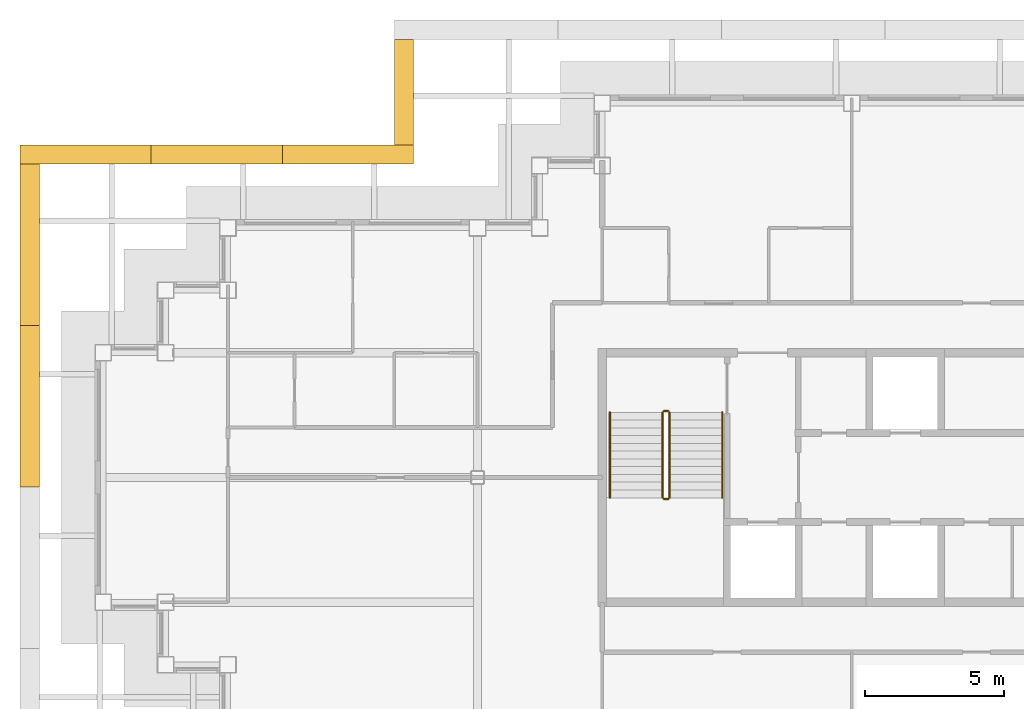
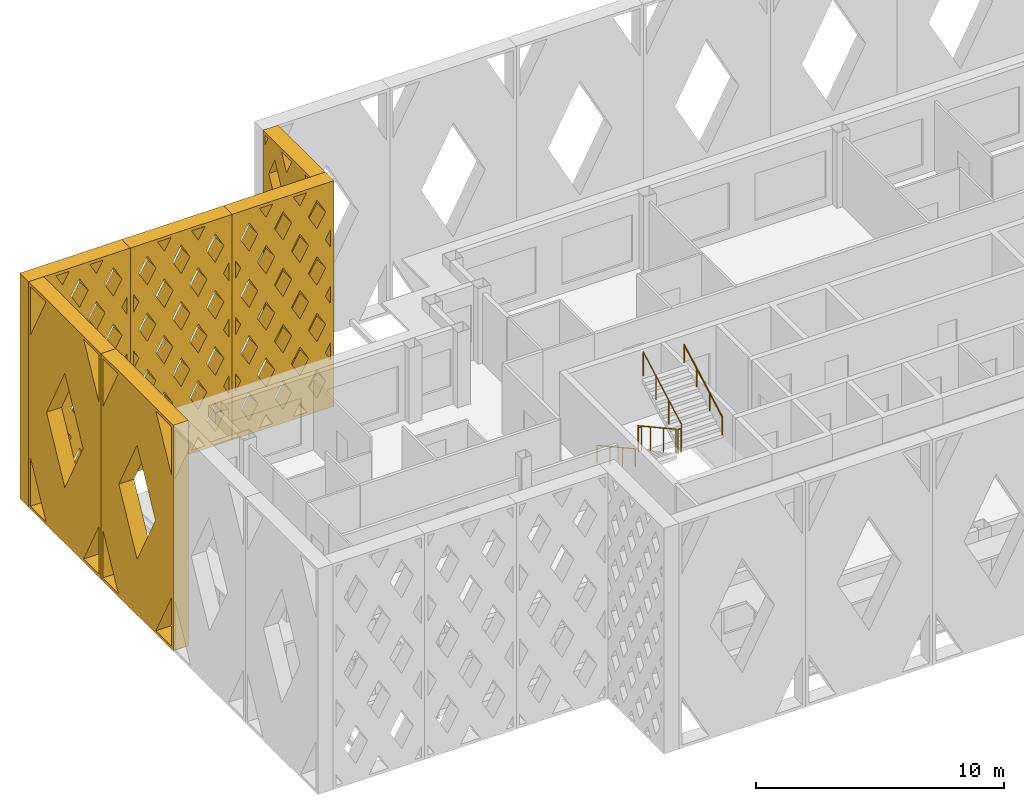
# One storey, part 10 of 13: 6 railings, 6 shading devices.
"""IFC4 building model written with IfcOpenShell, lengths in metres."""

from ifc_helpers import new_model, si_unit, direction, frame, origin, origin_2d, place, context, subcontext, project, spatial, polyline, circle, outline, extrude, material, type_object, element, save


model = new_model("IFC4")

# Units and contexts
model_context = context("Model", 3, precision=1e-05, world=origin(), true_north=direction((0.0, 1.0)))
body_context = subcontext(model_context, "Body", "Model", "MODEL_VIEW")
ifc_project = project(units=[si_unit("LENGTHUNIT", "METRE"), si_unit("AREAUNIT", "SQUARE_METRE"), si_unit("VOLUMEUNIT", "CUBIC_METRE"), si_unit("PLANEANGLEUNIT", "RADIAN"), si_unit("MASSUNIT", "GRAM", prefix="KILO")], contexts=[model_context])

# Site, building, storey
site_placement = place(None, origin())
site = spatial("IfcSite", under=ifc_project, at=site_placement, CompositionType="ELEMENT")
building_placement = place(site_placement, origin())
building = spatial("IfcBuilding", under=site, at=building_placement, Name="Caravel Reach Hotel and Residences", CompositionType="ELEMENT")
storey_placement = place(building_placement, frame((0.0, 0.0, 267.5)))
storey = spatial("IfcBuildingStorey", under=building, at=storey_placement, Name="L68", CompositionType="ELEMENT", Elevation=267.5)

# Shading devices
ifc_material_1 = material(Name="Black powder-coated aluminium", Category="aluminium")
shading_device_type_1 = type_object("IfcShadingDeviceType", Name="Diamond lattice screen panel 3800 x 11100", PredefinedType="USERDEFINED", material=ifc_material_1)
shading_device_1_placement = place(storey_placement, frame((11.199951171875, 42.800048828125, 0.0), z_axis=(-1.0, 0.0, 0.0), x_axis=(0.0, -1.0, 0.0)))
element("IfcShadingDevice", 1, at=shading_device_1_placement, inside=storey, type_object=shading_device_type_1, Name="Lattice screen L68-L70 6.1", ObjectType="SCREEN", PredefinedType="USERDEFINED", context=body_context, shape_type="SweptSolid", body=[
    extrude(outline(polyline([(0.0, 0.0), (3.800048828125, 0.0), (3.800048828125, 11.10009765625), (0.0, 11.10009765625), (0.0, 0.0)]), holes=[polyline([(0.412109375, 0.14990234375), (0.14990234375, 0.660400390625), (0.14990234375, 0.14990234375), (0.412109375, 0.14990234375)]), polyline([(0.4892578125, 3.699951171875), (0.14990234375, 4.3603515625), (0.14990234375, 3.03955078125), (0.4892578125, 3.699951171875)]), polyline([(0.4892578125, 7.39990234375), (0.14990234375, 8.060302734375), (0.14990234375, 6.739501953125), (0.4892578125, 7.39990234375)]), polyline([(0.14990234375, 10.439697265625), (0.412109375, 10.949951171875), (0.14990234375, 10.949951171875), (0.14990234375, 10.439697265625)]), polyline([(0.949951171875, 2.802490234375), (0.4609375, 1.85009765625), (0.949951171875, 0.8974609375), (1.439208984375, 1.85009765625), (0.949951171875, 2.802490234375)]), polyline([(0.949951171875, 6.50244140625), (0.4609375, 5.550048828125), (0.949951171875, 4.597412109375), (1.439208984375, 5.550048828125), (0.949951171875, 6.50244140625)]), polyline([(0.949951171875, 10.20263671875), (0.4609375, 9.25), (0.949951171875, 8.29736328125), (1.439208984375, 9.25), (0.949951171875, 10.20263671875)]), polyline([(1.89990234375, 0.95263671875), (1.48779296875, 0.14990234375), (2.31201171875, 0.14990234375), (1.89990234375, 0.95263671875)]), polyline([(1.89990234375, 4.652587890625), (1.410888671875, 3.699951171875), (1.89990234375, 2.74755859375), (2.38916015625, 3.699951171875), (1.89990234375, 4.652587890625)]), polyline([(1.89990234375, 8.3525390625), (1.410888671875, 7.39990234375), (1.89990234375, 6.447509765625), (2.38916015625, 7.39990234375), (1.89990234375, 8.3525390625)]), polyline([(1.89990234375, 10.1474609375), (2.31201171875, 10.949951171875), (1.48779296875, 10.949951171875), (1.89990234375, 10.1474609375)]), polyline([(2.85009765625, 2.802490234375), (2.36083984375, 1.85009765625), (2.85009765625, 0.8974609375), (3.339111328125, 1.85009765625), (2.85009765625, 2.802490234375)]), polyline([(2.85009765625, 6.50244140625), (2.36083984375, 5.550048828125), (2.85009765625, 4.597412109375), (3.339111328125, 5.550048828125), (2.85009765625, 6.50244140625)]), polyline([(2.85009765625, 10.20263671875), (2.36083984375, 9.25), (2.85009765625, 8.29736328125), (3.339111328125, 9.25), (2.85009765625, 10.20263671875)]), polyline([(3.64990234375, 0.660400390625), (3.387939453125, 0.14990234375), (3.64990234375, 0.14990234375), (3.64990234375, 0.660400390625)]), polyline([(3.310791015625, 3.699951171875), (3.64990234375, 3.03955078125), (3.64990234375, 4.3603515625), (3.310791015625, 3.699951171875)]), polyline([(3.310791015625, 7.39990234375), (3.64990234375, 6.739501953125), (3.64990234375, 8.060302734375), (3.310791015625, 7.39990234375)]), polyline([(3.387939453125, 10.949951171875), (3.64990234375, 10.439697265625), (3.64990234375, 10.949951171875), (3.387939453125, 10.949951171875)])]), origin(), (0.0, 0.0, 1.0), 0.699951171875),
])
ifc_material_2 = material(Name="Black powder-coated aluminium", Category="aluminium")
shading_device_type_2 = type_object("IfcShadingDeviceType", Name="Diamond lattice screen panel 4733 x 11100", PredefinedType="USERDEFINED", material=ifc_material_2)
shading_device_2_placement = place(storey_placement, frame((11.199951171875, 38.300048828125, 0.0), z_axis=(0.0, 1.0, 0.0), x_axis=(-1.0, 0.0, 0.0)))
element("IfcShadingDevice", 2, at=shading_device_2_placement, inside=storey, type_object=shading_device_type_2, Name="Lattice screen L68-L70 7.1", ObjectType="SCREEN", PredefinedType="USERDEFINED", context=body_context, shape_type="SweptSolid", body=[
    extrude(outline(polyline([(0.0, 0.0), (4.7333984375, 0.0), (4.7333984375, 11.10009765625), (0.0, 11.10009765625), (0.0, 0.0)]), holes=[polyline([(0.401123046875, 2.77490234375), (0.14990234375, 3.216796875), (0.14990234375, 2.333251953125), (0.401123046875, 2.77490234375)]), polyline([(0.401123046875, 5.550048828125), (0.14990234375, 5.99169921875), (0.14990234375, 5.108154296875), (0.401123046875, 5.550048828125)]), polyline([(0.401123046875, 8.324951171875), (0.14990234375, 8.766845703125), (0.14990234375, 7.88330078125), (0.401123046875, 8.324951171875)]), polyline([(0.788818359375, 2.093017578125), (0.3876953125, 1.387451171875), (0.788818359375, 0.681884765625), (1.190185546875, 1.387451171875), (0.788818359375, 2.093017578125)]), polyline([(0.788818359375, 4.8681640625), (0.3876953125, 4.16259765625), (0.788818359375, 3.456787109375), (1.190185546875, 4.16259765625), (0.788818359375, 4.8681640625)]), polyline([(0.788818359375, 7.64306640625), (0.3876953125, 6.9375), (0.788818359375, 6.23193359375), (1.190185546875, 6.9375), (0.788818359375, 7.64306640625)]), polyline([(0.788818359375, 10.418212890625), (0.3876953125, 9.71240234375), (0.788818359375, 9.0068359375), (1.190185546875, 9.71240234375), (0.788818359375, 10.418212890625)]), polyline([(1.577880859375, 0.70556640625), (1.261962890625, 0.14990234375), (1.893798828125, 0.14990234375), (1.577880859375, 0.70556640625)]), polyline([(1.577880859375, 3.480712890625), (1.176513671875, 2.77490234375), (1.577880859375, 2.0693359375), (1.97900390625, 2.77490234375), (1.577880859375, 3.480712890625)]), polyline([(1.577880859375, 6.255615234375), (1.176513671875, 5.550048828125), (1.577880859375, 4.844482421875), (1.97900390625, 5.550048828125), (1.577880859375, 6.255615234375)]), polyline([(1.577880859375, 9.030517578125), (1.176513671875, 8.324951171875), (1.577880859375, 7.619384765625), (1.97900390625, 8.324951171875), (1.577880859375, 9.030517578125)]), polyline([(1.577880859375, 10.394287109375), (1.893798828125, 10.949951171875), (1.261962890625, 10.949951171875), (1.577880859375, 10.394287109375)]), polyline([(2.36669921875, 2.093017578125), (1.965576171875, 1.387451171875), (2.36669921875, 0.681884765625), (2.767822265625, 1.387451171875), (2.36669921875, 2.093017578125)]), polyline([(2.36669921875, 4.8681640625), (1.965576171875, 4.16259765625), (2.36669921875, 3.456787109375), (2.767822265625, 4.16259765625), (2.36669921875, 4.8681640625)]), polyline([(2.36669921875, 7.64306640625), (1.965576171875, 6.9375), (2.36669921875, 6.23193359375), (2.767822265625, 6.9375), (2.36669921875, 7.64306640625)]), polyline([(2.36669921875, 10.418212890625), (1.965576171875, 9.71240234375), (2.36669921875, 9.0068359375), (2.767822265625, 9.71240234375), (2.36669921875, 10.418212890625)]), polyline([(3.155517578125, 0.70556640625), (2.839599609375, 0.14990234375), (3.471435546875, 0.14990234375), (3.155517578125, 0.70556640625)]), polyline([(3.155517578125, 3.480712890625), (2.75439453125, 2.77490234375), (3.155517578125, 2.0693359375), (3.556640625, 2.77490234375), (3.155517578125, 3.480712890625)]), polyline([(3.155517578125, 6.255615234375), (2.75439453125, 5.550048828125), (3.155517578125, 4.844482421875), (3.556640625, 5.550048828125), (3.155517578125, 6.255615234375)]), polyline([(3.155517578125, 9.030517578125), (2.75439453125, 8.324951171875), (3.155517578125, 7.619384765625), (3.556640625, 8.324951171875), (3.155517578125, 9.030517578125)]), polyline([(3.155517578125, 10.394287109375), (3.471435546875, 10.949951171875), (2.839599609375, 10.949951171875), (3.155517578125, 10.394287109375)]), polyline([(3.9443359375, 2.093017578125), (3.543212890625, 1.387451171875), (3.9443359375, 0.681884765625), (4.345703125, 1.387451171875), (3.9443359375, 2.093017578125)]), polyline([(3.9443359375, 4.8681640625), (3.543212890625, 4.16259765625), (3.9443359375, 3.456787109375), (4.345703125, 4.16259765625), (3.9443359375, 4.8681640625)]), polyline([(3.9443359375, 7.64306640625), (3.543212890625, 6.9375), (3.9443359375, 6.23193359375), (4.345703125, 6.9375), (3.9443359375, 7.64306640625)]), polyline([(3.9443359375, 10.418212890625), (3.543212890625, 9.71240234375), (3.9443359375, 9.0068359375), (4.345703125, 9.71240234375), (3.9443359375, 10.418212890625)]), polyline([(4.33203125, 2.77490234375), (4.583251953125, 2.333251953125), (4.583251953125, 3.216796875), (4.33203125, 2.77490234375)]), polyline([(4.33203125, 5.550048828125), (4.583251953125, 5.108154296875), (4.583251953125, 5.99169921875), (4.33203125, 5.550048828125)]), polyline([(4.33203125, 8.324951171875), (4.583251953125, 7.88330078125), (4.583251953125, 8.766845703125), (4.33203125, 8.324951171875)])]), origin(), (0.0, 0.0, 1.0), 0.699951171875),
])
shading_device_3_placement = place(storey_placement, frame((6.466552734375, 38.300048828125, 0.0), z_axis=(0.0, 1.0, 0.0), x_axis=(-1.0, 0.0, 0.0)))
element("IfcShadingDevice", 3, at=shading_device_3_placement, inside=storey, type_object=shading_device_type_2, Name="Lattice screen L68-L70 7.2", ObjectType="SCREEN", PredefinedType="USERDEFINED", context=body_context, shape_type="SweptSolid", body=[
    extrude(outline(polyline([(0.0, 0.0), (4.7333984375, 0.0), (4.7333984375, 11.10009765625), (0.0, 11.10009765625), (0.0, 0.0)]), holes=[polyline([(0.401123046875, 2.77490234375), (0.14990234375, 3.216796875), (0.14990234375, 2.333251953125), (0.401123046875, 2.77490234375)]), polyline([(0.401123046875, 5.550048828125), (0.14990234375, 5.99169921875), (0.14990234375, 5.108154296875), (0.401123046875, 5.550048828125)]), polyline([(0.401123046875, 8.324951171875), (0.14990234375, 8.766845703125), (0.14990234375, 7.88330078125), (0.401123046875, 8.324951171875)]), polyline([(0.788818359375, 2.093017578125), (0.3876953125, 1.387451171875), (0.788818359375, 0.681884765625), (1.190185546875, 1.387451171875), (0.788818359375, 2.093017578125)]), polyline([(0.788818359375, 4.8681640625), (0.3876953125, 4.16259765625), (0.788818359375, 3.456787109375), (1.190185546875, 4.16259765625), (0.788818359375, 4.8681640625)]), polyline([(0.788818359375, 7.64306640625), (0.3876953125, 6.9375), (0.788818359375, 6.23193359375), (1.190185546875, 6.9375), (0.788818359375, 7.64306640625)]), polyline([(0.788818359375, 10.418212890625), (0.3876953125, 9.71240234375), (0.788818359375, 9.0068359375), (1.190185546875, 9.71240234375), (0.788818359375, 10.418212890625)]), polyline([(1.577880859375, 0.70556640625), (1.261962890625, 0.14990234375), (1.893798828125, 0.14990234375), (1.577880859375, 0.70556640625)]), polyline([(1.577880859375, 3.480712890625), (1.176513671875, 2.77490234375), (1.577880859375, 2.0693359375), (1.97900390625, 2.77490234375), (1.577880859375, 3.480712890625)]), polyline([(1.577880859375, 6.255615234375), (1.176513671875, 5.550048828125), (1.577880859375, 4.844482421875), (1.97900390625, 5.550048828125), (1.577880859375, 6.255615234375)]), polyline([(1.577880859375, 9.030517578125), (1.176513671875, 8.324951171875), (1.577880859375, 7.619384765625), (1.97900390625, 8.324951171875), (1.577880859375, 9.030517578125)]), polyline([(1.577880859375, 10.394287109375), (1.893798828125, 10.949951171875), (1.261962890625, 10.949951171875), (1.577880859375, 10.394287109375)]), polyline([(2.36669921875, 2.093017578125), (1.965576171875, 1.387451171875), (2.36669921875, 0.681884765625), (2.767822265625, 1.387451171875), (2.36669921875, 2.093017578125)]), polyline([(2.36669921875, 4.8681640625), (1.965576171875, 4.16259765625), (2.36669921875, 3.456787109375), (2.767822265625, 4.16259765625), (2.36669921875, 4.8681640625)]), polyline([(2.36669921875, 7.64306640625), (1.965576171875, 6.9375), (2.36669921875, 6.23193359375), (2.767822265625, 6.9375), (2.36669921875, 7.64306640625)]), polyline([(2.36669921875, 10.418212890625), (1.965576171875, 9.71240234375), (2.36669921875, 9.0068359375), (2.767822265625, 9.71240234375), (2.36669921875, 10.418212890625)]), polyline([(3.155517578125, 0.70556640625), (2.839599609375, 0.14990234375), (3.471435546875, 0.14990234375), (3.155517578125, 0.70556640625)]), polyline([(3.155517578125, 3.480712890625), (2.75439453125, 2.77490234375), (3.155517578125, 2.0693359375), (3.556640625, 2.77490234375), (3.155517578125, 3.480712890625)]), polyline([(3.155517578125, 6.255615234375), (2.75439453125, 5.550048828125), (3.155517578125, 4.844482421875), (3.556640625, 5.550048828125), (3.155517578125, 6.255615234375)]), polyline([(3.155517578125, 9.030517578125), (2.75439453125, 8.324951171875), (3.155517578125, 7.619384765625), (3.556640625, 8.324951171875), (3.155517578125, 9.030517578125)]), polyline([(3.155517578125, 10.394287109375), (3.471435546875, 10.949951171875), (2.839599609375, 10.949951171875), (3.155517578125, 10.394287109375)]), polyline([(3.9443359375, 2.093017578125), (3.543212890625, 1.387451171875), (3.9443359375, 0.681884765625), (4.345703125, 1.387451171875), (3.9443359375, 2.093017578125)]), polyline([(3.9443359375, 4.8681640625), (3.543212890625, 4.16259765625), (3.9443359375, 3.456787109375), (4.345703125, 4.16259765625), (3.9443359375, 4.8681640625)]), polyline([(3.9443359375, 7.64306640625), (3.543212890625, 6.9375), (3.9443359375, 6.23193359375), (4.345703125, 6.9375), (3.9443359375, 7.64306640625)]), polyline([(3.9443359375, 10.418212890625), (3.543212890625, 9.71240234375), (3.9443359375, 9.0068359375), (4.345703125, 9.71240234375), (3.9443359375, 10.418212890625)]), polyline([(4.33203125, 2.77490234375), (4.583251953125, 2.333251953125), (4.583251953125, 3.216796875), (4.33203125, 2.77490234375)]), polyline([(4.33203125, 5.550048828125), (4.583251953125, 5.108154296875), (4.583251953125, 5.99169921875), (4.33203125, 5.550048828125)]), polyline([(4.33203125, 8.324951171875), (4.583251953125, 7.88330078125), (4.583251953125, 8.766845703125), (4.33203125, 8.324951171875)])]), origin(), (0.0, 0.0, 1.0), 0.699951171875),
])
shading_device_4_placement = place(storey_placement, frame((1.7333984375, 38.300048828125, 0.0), z_axis=(0.0, 1.0, 0.0), x_axis=(-1.0, 0.0, 0.0)))
element("IfcShadingDevice", 4, at=shading_device_4_placement, inside=storey, type_object=shading_device_type_2, Name="Lattice screen L68-L70 7.3", ObjectType="SCREEN", PredefinedType="USERDEFINED", context=body_context, shape_type="SweptSolid", body=[
    extrude(outline(polyline([(0.0, 0.0), (4.7333984375, 0.0), (4.7333984375, 11.10009765625), (0.0, 11.10009765625), (0.0, 0.0)]), holes=[polyline([(0.401123046875, 2.77490234375), (0.14990234375, 3.216796875), (0.14990234375, 2.333251953125), (0.401123046875, 2.77490234375)]), polyline([(0.401123046875, 5.550048828125), (0.14990234375, 5.99169921875), (0.14990234375, 5.108154296875), (0.401123046875, 5.550048828125)]), polyline([(0.401123046875, 8.324951171875), (0.14990234375, 8.766845703125), (0.14990234375, 7.88330078125), (0.401123046875, 8.324951171875)]), polyline([(0.788818359375, 2.093017578125), (0.3876953125, 1.387451171875), (0.788818359375, 0.681884765625), (1.190185546875, 1.387451171875), (0.788818359375, 2.093017578125)]), polyline([(0.788818359375, 4.8681640625), (0.3876953125, 4.16259765625), (0.788818359375, 3.456787109375), (1.190185546875, 4.16259765625), (0.788818359375, 4.8681640625)]), polyline([(0.788818359375, 7.64306640625), (0.3876953125, 6.9375), (0.788818359375, 6.23193359375), (1.190185546875, 6.9375), (0.788818359375, 7.64306640625)]), polyline([(0.788818359375, 10.418212890625), (0.3876953125, 9.71240234375), (0.788818359375, 9.0068359375), (1.190185546875, 9.71240234375), (0.788818359375, 10.418212890625)]), polyline([(1.577880859375, 0.70556640625), (1.261962890625, 0.14990234375), (1.893798828125, 0.14990234375), (1.577880859375, 0.70556640625)]), polyline([(1.577880859375, 3.480712890625), (1.176513671875, 2.77490234375), (1.577880859375, 2.0693359375), (1.97900390625, 2.77490234375), (1.577880859375, 3.480712890625)]), polyline([(1.577880859375, 6.255615234375), (1.176513671875, 5.550048828125), (1.577880859375, 4.844482421875), (1.97900390625, 5.550048828125), (1.577880859375, 6.255615234375)]), polyline([(1.577880859375, 9.030517578125), (1.176513671875, 8.324951171875), (1.577880859375, 7.619384765625), (1.97900390625, 8.324951171875), (1.577880859375, 9.030517578125)]), polyline([(1.577880859375, 10.394287109375), (1.893798828125, 10.949951171875), (1.261962890625, 10.949951171875), (1.577880859375, 10.394287109375)]), polyline([(2.36669921875, 2.093017578125), (1.965576171875, 1.387451171875), (2.36669921875, 0.681884765625), (2.767822265625, 1.387451171875), (2.36669921875, 2.093017578125)]), polyline([(2.36669921875, 4.8681640625), (1.965576171875, 4.16259765625), (2.36669921875, 3.456787109375), (2.767822265625, 4.16259765625), (2.36669921875, 4.8681640625)]), polyline([(2.36669921875, 7.64306640625), (1.965576171875, 6.9375), (2.36669921875, 6.23193359375), (2.767822265625, 6.9375), (2.36669921875, 7.64306640625)]), polyline([(2.36669921875, 10.418212890625), (1.965576171875, 9.71240234375), (2.36669921875, 9.0068359375), (2.767822265625, 9.71240234375), (2.36669921875, 10.418212890625)]), polyline([(3.155517578125, 0.70556640625), (2.839599609375, 0.14990234375), (3.471435546875, 0.14990234375), (3.155517578125, 0.70556640625)]), polyline([(3.155517578125, 3.480712890625), (2.75439453125, 2.77490234375), (3.155517578125, 2.0693359375), (3.556640625, 2.77490234375), (3.155517578125, 3.480712890625)]), polyline([(3.155517578125, 6.255615234375), (2.75439453125, 5.550048828125), (3.155517578125, 4.844482421875), (3.556640625, 5.550048828125), (3.155517578125, 6.255615234375)]), polyline([(3.155517578125, 9.030517578125), (2.75439453125, 8.324951171875), (3.155517578125, 7.619384765625), (3.556640625, 8.324951171875), (3.155517578125, 9.030517578125)]), polyline([(3.155517578125, 10.394287109375), (3.471435546875, 10.949951171875), (2.839599609375, 10.949951171875), (3.155517578125, 10.394287109375)]), polyline([(3.9443359375, 2.093017578125), (3.543212890625, 1.387451171875), (3.9443359375, 0.681884765625), (4.345703125, 1.387451171875), (3.9443359375, 2.093017578125)]), polyline([(3.9443359375, 4.8681640625), (3.543212890625, 4.16259765625), (3.9443359375, 3.456787109375), (4.345703125, 4.16259765625), (3.9443359375, 4.8681640625)]), polyline([(3.9443359375, 7.64306640625), (3.543212890625, 6.9375), (3.9443359375, 6.23193359375), (4.345703125, 6.9375), (3.9443359375, 7.64306640625)]), polyline([(3.9443359375, 10.418212890625), (3.543212890625, 9.71240234375), (3.9443359375, 9.0068359375), (4.345703125, 9.71240234375), (3.9443359375, 10.418212890625)]), polyline([(4.33203125, 2.77490234375), (4.583251953125, 2.333251953125), (4.583251953125, 3.216796875), (4.33203125, 2.77490234375)]), polyline([(4.33203125, 5.550048828125), (4.583251953125, 5.108154296875), (4.583251953125, 5.99169921875), (4.33203125, 5.550048828125)]), polyline([(4.33203125, 8.324951171875), (4.583251953125, 7.88330078125), (4.583251953125, 8.766845703125), (4.33203125, 8.324951171875)])]), origin(), (0.0, 0.0, 1.0), 0.699951171875),
])
ifc_material_3 = material(Name="Black powder-coated aluminium", Category="aluminium")
shading_device_type_3 = type_object("IfcShadingDeviceType", Name="Diamond lattice screen panel 5825 x 11100", PredefinedType="USERDEFINED", material=ifc_material_3)
for number, where, z_axis, x_axis, name in (
    (5, (-2.300048828125, 38.300048828125, 0.0), (-1.0, 0.0, 0.0), (0.0, -1.0, 0.0), "Lattice screen L68-L70 8.1"),
    (6, (-2.300048828125, 32.47509765625, 0.0), (-1.0, 0.0, 0.0), (0.0, -1.0, 0.0), "Lattice screen L68-L70 8.2"),
):
    element("IfcShadingDevice", number, at=place(storey_placement, frame(where, z_axis=z_axis, x_axis=x_axis)), inside=storey, type_object=shading_device_type_3, Name=name, ObjectType="SCREEN", PredefinedType="USERDEFINED", context=body_context, shape_type="SweptSolid", body=[
        extrude(outline(polyline([(0.0, 0.0), (5.824951171875, 0.0), (5.824951171875, 11.10009765625), (0.0, 11.10009765625), (0.0, 0.0)]), holes=[polyline([(1.39697265625, 0.14990234375), (0.14990234375, 2.526123046875), (0.14990234375, 0.14990234375), (1.39697265625, 0.14990234375)]), polyline([(0.14990234375, 8.573974609375), (1.39697265625, 10.949951171875), (0.14990234375, 10.949951171875), (0.14990234375, 8.573974609375)]), polyline([(2.91259765625, 8.362060546875), (1.436767578125, 5.550048828125), (2.91259765625, 2.738037109375), (4.38818359375, 5.550048828125), (2.91259765625, 8.362060546875)]), polyline([(5.675048828125, 2.526123046875), (4.427978515625, 0.14990234375), (5.675048828125, 0.14990234375), (5.675048828125, 2.526123046875)]), polyline([(4.427978515625, 10.949951171875), (5.675048828125, 8.573974609375), (5.675048828125, 10.949951171875), (4.427978515625, 10.949951171875)])]), origin(), (0.0, 0.0, 1.0), 0.699951171875),
    ])

# Railings
ifc_material_4 = material(Name="Steel balustrade with glass infill", Category="steel")
railing_type_1 = type_object("IfcRailingType", Name="Guard 1200", PredefinedType="GUARDRAIL", material=ifc_material_4)
railing_1_placement = place(storey_placement, frame((20.175048828125, 29.35009765625, 0.154052734375)))
element("IfcRailing", 7, at=railing_1_placement, inside=storey, type_object=railing_type_1, Name="L68 ST-A stair guard 1", PredefinedType="GUARDRAIL", context=body_context, shape_type="SweptSolid", body=[
    extrude(circle(Radius=0.02392578125, at=origin_2d()), frame((0.0, 0.0, 1.17578125), z_axis=(0.0, -0.875975380505, 0.482355815502), x_axis=(1.0, 0.0, 0.0)), (0.0, 0.0, 1.0), 3.51611328125),
    extrude(circle(Radius=0.02099609375, at=origin_2d()), origin(), (0.0, 0.0, 1.0), 1.15185546875),
    extrude(circle(Radius=0.02099609375, at=origin_2d()), frame((0.0, -1.026611328125, 0.5654296875)), (0.0, 0.0, 1.0), 1.15185546875),
    extrude(circle(Radius=0.02099609375, at=origin_2d()), frame((0.0, -2.053466796875, 1.130615234375)), (0.0, 0.0, 1.0), 1.15185546875),
    extrude(circle(Radius=0.02099609375, at=origin_2d()), frame((0.0, -3.080078125, 1.696044921875)), (0.0, 0.0, 1.0), 1.15185546875),
])
railing_2_placement = place(storey_placement, frame((20.22509765625, 26.219970703125, 1.85009765625)))
element("IfcRailing", 8, at=railing_2_placement, inside=storey, type_object=railing_type_1, Name="L68 ST-A stair guard 2", PredefinedType="GUARDRAIL", context=body_context, shape_type="SweptSolid", body=[
    extrude(circle(Radius=0.02392578125, at=origin_2d()), frame((0.0, 0.0, 1.17578125), z_axis=(1.0, 0.0, 0.0), x_axis=(0.0, 1.0, 0.0)), (0.0, 0.0, 1.0), 0.14990234375),
    extrude(circle(Radius=0.02099609375, at=origin_2d()), origin(), (0.0, 0.0, 1.0), 1.15185546875),
    extrude(circle(Radius=0.02099609375, at=origin_2d()), frame((0.14990234375, 0.0, 0.0)), (0.0, 0.0, 1.0), 1.15185546875),
])
railing_3_placement = place(storey_placement, frame((20.425048828125, 26.27001953125, 2.004150390625)))
element("IfcRailing", 9, at=railing_3_placement, inside=storey, type_object=railing_type_1, Name="L68 ST-A stair guard 3", PredefinedType="GUARDRAIL", context=body_context, shape_type="SweptSolid", body=[
    extrude(circle(Radius=0.02392578125, at=origin_2d()), frame((0.0, 0.0, 1.17578125), z_axis=(0.0, 0.876004717809, 0.482302534076), x_axis=(-1.0, 0.0, 0.0)), (0.0, 0.0, 1.0), 3.51611328125),
    extrude(circle(Radius=0.02099609375, at=origin_2d()), origin(), (0.0, 0.0, 1.0), 1.15185546875),
    extrude(circle(Radius=0.02099609375, at=origin_2d()), frame((0.0, 1.026611328125, 0.565185546875)), (0.0, 0.0, 1.0), 1.15185546875),
    extrude(circle(Radius=0.02099609375, at=origin_2d()), frame((0.0, 2.053466796875, 1.130615234375)), (0.0, 0.0, 1.0), 1.15185546875),
    extrude(circle(Radius=0.02099609375, at=origin_2d()), frame((0.0, 3.080078125, 1.69580078125)), (0.0, 0.0, 1.0), 1.15185546875),
])
railing_4_placement = place(storey_placement, frame((20.22509765625, 29.39990234375, 0.0)))
element("IfcRailing", 10, at=railing_4_placement, inside=storey, type_object=railing_type_1, Name="L68 ST-A stair guard 4", PredefinedType="GUARDRAIL", context=body_context, shape_type="SweptSolid", body=[
    extrude(circle(Radius=0.02392578125, at=origin_2d()), frame((0.0, 0.0, 1.17578125), z_axis=(1.0, 0.0, 0.0), x_axis=(0.0, 1.0, 0.0)), (0.0, 0.0, 1.0), 0.14990234375),
    extrude(circle(Radius=0.02099609375, at=origin_2d()), origin(), (0.0, 0.0, 1.0), 1.15185546875),
    extrude(circle(Radius=0.02099609375, at=origin_2d()), frame((0.14990234375, 0.0, 0.0)), (0.0, 0.0, 1.0), 1.15185546875),
])
ifc_material_5 = material(Name="Stainless steel handrail", Category="steel")
railing_type_2 = type_object("IfcRailingType", Name="Handrail 900", PredefinedType="HANDRAIL", material=ifc_material_5)
railing_5_placement = place(storey_placement, frame((18.27490234375, 29.35009765625, 0.154052734375)))
element("IfcRailing", 11, at=railing_5_placement, inside=storey, type_object=railing_type_2, Name="L68 ST-A stair handrail 1", PredefinedType="HANDRAIL", context=body_context, shape_type="SweptSolid", body=[
    extrude(circle(Radius=0.02392578125, at=origin_2d()), frame((0.0, 0.0, 0.8759765625), z_axis=(0.0, -0.875975380505, 0.482355815502), x_axis=(1.0, 0.0, 0.0)), (0.0, 0.0, 1.0), 3.51611328125),
    extrude(circle(Radius=0.02099609375, at=origin_2d()), origin(), (0.0, 0.0, 1.0), 0.851806640625),
    extrude(circle(Radius=0.02099609375, at=origin_2d()), frame((0.0, -1.026611328125, 0.5654296875)), (0.0, 0.0, 1.0), 0.851806640625),
    extrude(circle(Radius=0.02099609375, at=origin_2d()), frame((0.0, -2.053466796875, 1.130615234375)), (0.0, 0.0, 1.0), 0.851806640625),
    extrude(circle(Radius=0.02099609375, at=origin_2d()), frame((0.0, -3.080078125, 1.696044921875)), (0.0, 0.0, 1.0), 0.851806640625),
])
railing_6_placement = place(storey_placement, frame((22.324951171875, 26.27001953125, 2.004150390625)))
element("IfcRailing", 12, at=railing_6_placement, inside=storey, type_object=railing_type_2, Name="L68 ST-A stair handrail 2", PredefinedType="HANDRAIL", context=body_context, shape_type="SweptSolid", body=[
    extrude(circle(Radius=0.02392578125, at=origin_2d()), frame((0.0, 0.0, 0.8759765625), z_axis=(0.0, 0.876004717809, 0.482302534076), x_axis=(-1.0, 0.0, 0.0)), (0.0, 0.0, 1.0), 3.51611328125),
    extrude(circle(Radius=0.02099609375, at=origin_2d()), origin(), (0.0, 0.0, 1.0), 0.851806640625),
    extrude(circle(Radius=0.02099609375, at=origin_2d()), frame((0.0, 1.026611328125, 0.565185546875)), (0.0, 0.0, 1.0), 0.851806640625),
    extrude(circle(Radius=0.02099609375, at=origin_2d()), frame((0.0, 2.053466796875, 1.130615234375)), (0.0, 0.0, 1.0), 0.851806640625),
    extrude(circle(Radius=0.02099609375, at=origin_2d()), frame((0.0, 3.080078125, 1.69580078125)), (0.0, 0.0, 1.0), 0.851806640625),
])

save(model, "model.ifc")
